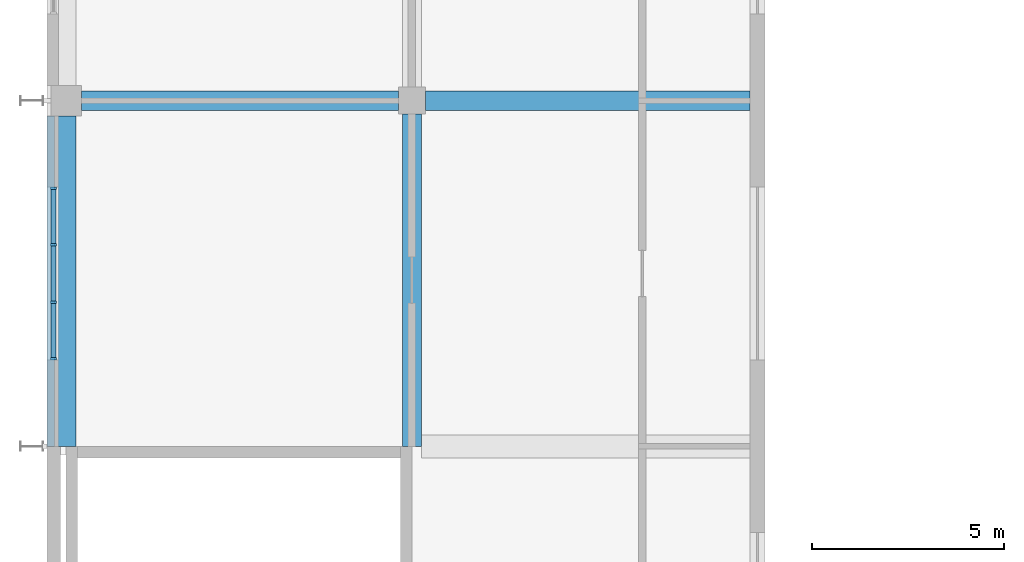
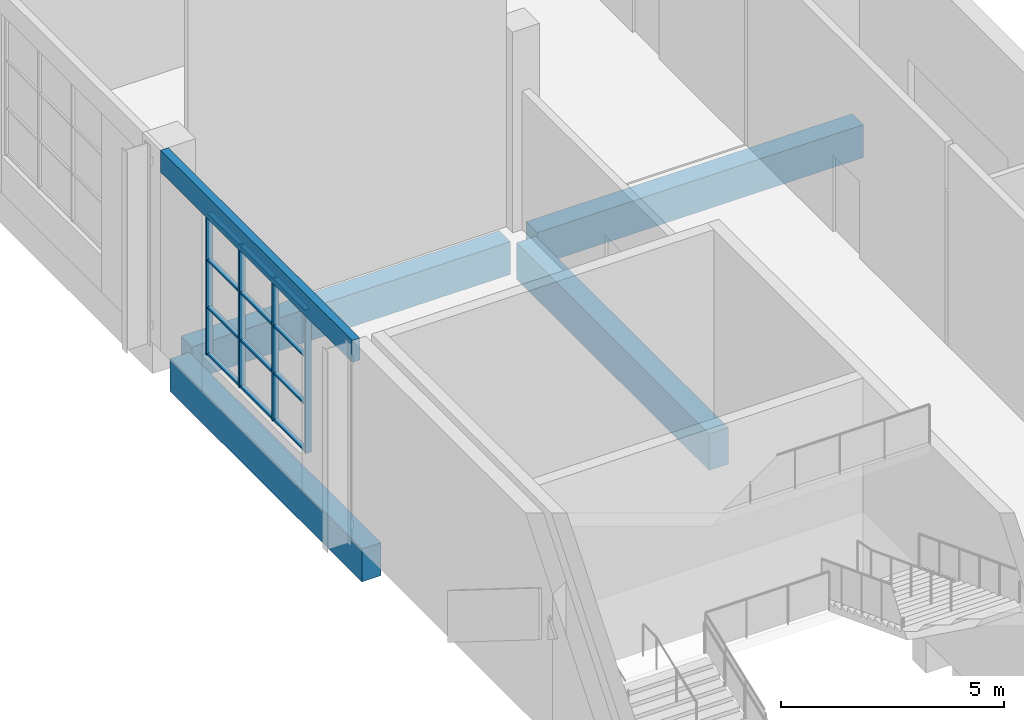
# One storey, part 6 of 84: 16 members, 5 beams, 1 element without a shape of its own.
"""IFC4 building model written with IfcOpenShell, lengths in metres."""

from ifc_helpers import new_model, si_unit, direction, frame, origin, origin_2d, place, context, subcontext, project, spatial, rectangle, extrude, material, material_profile, profile_set, type_object, element, aggregate, save


model = new_model("IFC4")

# Units and contexts
model_context = context("Model", 3, precision=1e-05, world=origin(), true_north=direction((0.0, 1.0)))
body_context = subcontext(model_context, "Body", "Model", "MODEL_VIEW")
ifc_project = project(units=[si_unit("LENGTHUNIT", "METRE"), si_unit("AREAUNIT", "SQUARE_METRE"), si_unit("VOLUMEUNIT", "CUBIC_METRE"), si_unit("PLANEANGLEUNIT", "RADIAN"), si_unit("MASSUNIT", "GRAM", prefix="KILO")], contexts=[model_context])

# Site, building, storey
site_placement = place(None, origin())
site = spatial("IfcSite", under=ifc_project, at=site_placement, CompositionType="ELEMENT")
building_placement = place(site_placement, origin())
building = spatial("IfcBuilding", under=site, at=building_placement, Name="Silverbay Arena", CompositionType="ELEMENT")
storey_placement = place(building_placement, frame((0.0, 0.0, 28.0)))
storey = spatial("IfcBuildingStorey", under=building, at=storey_placement, Name="L04", CompositionType="ELEMENT", Elevation=28.0)

# Curtain wall, members
ifc_material_1 = material(Name="Aluminium framed curtain wall", Category="aluminium")
curtain_wall_type = type_object("IfcCurtainWallType", Name="Curtain wall 4500 x 3900", PredefinedType="NOTDEFINED", material=ifc_material_1)
curtain_wall_placement = place(storey_placement, origin())
curtain_wall = element("IfcCurtainWall", 1, at=curtain_wall_placement, inside=storey, type_object=curtain_wall_type, Name="West curtain wall L04 bay 7", PredefinedType="NOTDEFINED")
ifc_material_2 = material(Name="Aluminium", Category="aluminium")
ifc_material_profile_1 = material_profile(ifc_material_2, rectangle(XDim=0.159912109375, YDim=0.06005859375, at=origin_2d()), Name="Mullion 60 x 160")
ifc_profile_set_1 = profile_set([ifc_material_profile_1], Name="Aluminium")
member_type_1 = type_object("IfcMemberType", Name="Mullion 60 x 160", PredefinedType="MULLION", material=ifc_profile_set_1)
member_1_placement = place(storey_placement, frame((53.669921875, 78.719970703125, 1.0), z_axis=(0.0, 0.0, 1.0), x_axis=(1.0, 0.0, 0.0)))
member_1 = element("IfcMember", 2, at=member_1_placement, type_object=member_type_1, Name="CW15 mullion 1", PredefinedType="MULLION", context=body_context, shape_type="SweptSolid", body=[
    extrude(rectangle(XDim=0.159912109375, YDim=0.06005859375, at=origin_2d()), origin(), (0.0, 0.0, 1.0), 3.89990234375),
])
member_2_placement = place(storey_placement, frame((53.669921875, 77.25, 1.0), z_axis=(0.0, 0.0, 1.0), x_axis=(1.0, 0.0, 0.0)))
member_2 = element("IfcMember", 3, at=member_2_placement, type_object=member_type_1, Name="CW15 mullion 2", PredefinedType="MULLION", context=body_context, shape_type="SweptSolid", body=[
    extrude(rectangle(XDim=0.159912109375, YDim=0.06005859375, at=origin_2d()), origin(), (0.0, 0.0, 1.0), 3.89990234375),
])
member_3_placement = place(storey_placement, frame((53.669921875, 75.75, 1.0), z_axis=(0.0, 0.0, 1.0), x_axis=(1.0, 0.0, 0.0)))
member_3 = element("IfcMember", 4, at=member_3_placement, type_object=member_type_1, Name="CW15 mullion 3", PredefinedType="MULLION", context=body_context, shape_type="SweptSolid", body=[
    extrude(rectangle(XDim=0.159912109375, YDim=0.06005859375, at=origin_2d()), origin(), (0.0, 0.0, 1.0), 3.89990234375),
])
member_4_placement = place(storey_placement, frame((53.669921875, 74.280029296875, 1.0), z_axis=(0.0, 0.0, 1.0), x_axis=(1.0, 0.0, 0.0)))
member_4 = element("IfcMember", 5, at=member_4_placement, type_object=member_type_1, Name="CW15 mullion 4", PredefinedType="MULLION", context=body_context, shape_type="SweptSolid", body=[
    extrude(rectangle(XDim=0.159912109375, YDim=0.06005859375, at=origin_2d()), origin(), (0.0, 0.0, 1.0), 3.89990234375),
])

# Beams
ifc_material_3 = material(Name="Concrete Grade C45", Category="concrete")
ifc_material_profile_2 = material_profile(ifc_material_3, rectangle(XDim=0.5, YDim=1.0, at=origin_2d()), Name="RC 500x1000")
ifc_profile_set_2 = profile_set([ifc_material_profile_2], Name="Concrete Grade C45")
beam_type_1 = type_object("IfcBeamType", Name="RC beam 500x1000", PredefinedType="BEAM", material=ifc_profile_set_2)
beam_1_placement = place(storey_placement, frame((63.0, 72.0, -0.800048828125), z_axis=(0.0, 1.0, 0.0), x_axis=(-1.0, 0.0, 0.0)))
element("IfcBeam", 6, at=beam_1_placement, inside=storey, type_object=beam_type_1, Name="Floor beam L04 088", PredefinedType="BEAM", context=body_context, shape_type="SweptSolid", body=[
    extrude(rectangle(XDim=0.5, YDim=1.0, at=origin_2d()), origin(), (0.0, 0.0, 1.0), 8.64990234375),
])
ifc_material_4 = material(Name="Concrete Grade C45", Category="concrete")
ifc_material_profile_3 = material_profile(ifc_material_4, rectangle(XDim=0.5, YDim=0.89990234375, at=origin_2d()), Name="RC 500x900")
ifc_profile_set_3 = profile_set([ifc_material_profile_3], Name="Concrete Grade C45")
beam_type_2 = type_object("IfcBeamType", Name="RC beam 500x900", PredefinedType="BEAM", material=ifc_profile_set_3)
beam_2_placement = place(storey_placement, frame((54.39990234375, 81.0, -0.75), z_axis=(1.0, 0.0, 0.0), x_axis=(0.0, 1.0, 0.0)))
element("IfcBeam", 7, at=beam_2_placement, inside=storey, type_object=beam_type_2, Name="Floor beam L04 037", PredefinedType="BEAM", context=body_context, shape_type="SweptSolid", body=[
    extrude(rectangle(XDim=0.5, YDim=0.89990234375, at=origin_2d()), origin(), (0.0, 0.0, 1.0), 8.25),
])
beam_3_placement = place(storey_placement, frame((63.35009765625, 81.0, -0.75), z_axis=(1.0, 0.0, 0.0), x_axis=(0.0, 1.0, 0.0)))
element("IfcBeam", 8, at=beam_3_placement, inside=storey, type_object=beam_type_2, Name="Floor beam L04 038", PredefinedType="BEAM", context=body_context, shape_type="SweptSolid", body=[
    extrude(rectangle(XDim=0.5, YDim=0.89990234375, at=origin_2d()), origin(), (0.0, 0.0, 1.0), 8.449951171875),
])
beam_4_placement = place(storey_placement, frame((54.0, 72.0, -0.75), z_axis=(0.0, 1.0, 0.0), x_axis=(-1.0, 0.0, 0.0)))
element("IfcBeam", 9, at=beam_4_placement, inside=storey, type_object=beam_type_2, Name="Floor beam L04 080", PredefinedType="BEAM", context=body_context, shape_type="SweptSolid", body=[
    extrude(rectangle(XDim=0.5, YDim=0.89990234375, at=origin_2d()), origin(), (0.0, 0.0, 1.0), 8.60009765625),
])
ifc_material_5 = material(Name="Concrete Grade C45", Category="concrete")
ifc_material_profile_4 = material_profile(ifc_material_5, rectangle(XDim=0.199951171875, YDim=0.60009765625, at=origin_2d()), Name="RC 200x600")
ifc_profile_set_4 = profile_set([ifc_material_profile_4], Name="Concrete Grade C45")
beam_type_3 = type_object("IfcBeamType", Name="RC facade beam 200x600", PredefinedType="SPANDREL", material=ifc_profile_set_4)
beam_5_placement = place(storey_placement, frame((53.60009765625, 72.0, 5.199951171875), z_axis=(0.0, 1.0, 0.0), x_axis=(-1.0, 0.0, 0.0)))
element("IfcBeam", 10, at=beam_5_placement, inside=storey, type_object=beam_type_3, Name="Facade beam L04 west", PredefinedType="SPANDREL", context=body_context, shape_type="SweptSolid", body=[
    extrude(rectangle(XDim=0.199951171875, YDim=0.60009765625, at=origin_2d()), origin(), (0.0, 0.0, 1.0), 8.60009765625),
])

# Member
ifc_material_6 = material(Name="Aluminium", Category="aluminium")
ifc_material_profile_5 = material_profile(ifc_material_6, rectangle(XDim=0.1201171875, YDim=0.050048828125, at=origin_2d()), Name="Transom 50 x 120")
ifc_profile_set_5 = profile_set([ifc_material_profile_5], Name="Aluminium")
member_type_2 = type_object("IfcMemberType", Name="Transom 50 x 120", PredefinedType="USERDEFINED", material=ifc_profile_set_5)
member_5_placement = place(storey_placement, frame((53.669921875, 78.68994140625, 1.02490234375), z_axis=(0.0, -1.0, 0.0), x_axis=(1.0, 0.0, 0.0)))
member_5 = element("IfcMember", 11, at=member_5_placement, type_object=member_type_2, Name="CW15 transom 1.1", ObjectType="TRANSOM", PredefinedType="USERDEFINED", context=body_context, shape_type="SweptSolid", body=[
    extrude(rectangle(XDim=0.1201171875, YDim=0.050048828125, at=origin_2d()), origin(), (0.0, 0.0, 1.0), 1.409912109375),
])

member_6_placement = place(storey_placement, frame((53.669921875, 78.68994140625, 2.300048828125), z_axis=(0.0, -1.0, 0.0), x_axis=(1.0, 0.0, 0.0)))
member_6 = element("IfcMember", 12, at=member_6_placement, type_object=member_type_2, Name="CW15 transom 1.2", ObjectType="TRANSOM", PredefinedType="USERDEFINED", context=body_context, shape_type="SweptSolid", body=[
    extrude(rectangle(XDim=0.1201171875, YDim=0.050048828125, at=origin_2d()), origin(), (0.0, 0.0, 1.0), 1.409912109375),
])

member_7_placement = place(storey_placement, frame((53.669921875, 78.68994140625, 3.60009765625), z_axis=(0.0, -1.0, 0.0), x_axis=(1.0, 0.0, 0.0)))
member_7 = element("IfcMember", 13, at=member_7_placement, type_object=member_type_2, Name="CW15 transom 1.3", ObjectType="TRANSOM", PredefinedType="USERDEFINED", context=body_context, shape_type="SweptSolid", body=[
    extrude(rectangle(XDim=0.1201171875, YDim=0.050048828125, at=origin_2d()), origin(), (0.0, 0.0, 1.0), 1.409912109375),
])

member_8_placement = place(storey_placement, frame((53.669921875, 78.68994140625, 4.875), z_axis=(0.0, -1.0, 0.0), x_axis=(1.0, 0.0, 0.0)))
member_8 = element("IfcMember", 14, at=member_8_placement, type_object=member_type_2, Name="CW15 transom 1.4", ObjectType="TRANSOM", PredefinedType="USERDEFINED", context=body_context, shape_type="SweptSolid", body=[
    extrude(rectangle(XDim=0.1201171875, YDim=0.050048828125, at=origin_2d()), origin(), (0.0, 0.0, 1.0), 1.409912109375),
])

member_9_placement = place(storey_placement, frame((53.669921875, 77.219970703125, 1.02490234375), z_axis=(0.0, -1.0, 0.0), x_axis=(1.0, 0.0, 0.0)))
member_9 = element("IfcMember", 15, at=member_9_placement, type_object=member_type_2, Name="CW15 transom 2.1", ObjectType="TRANSOM", PredefinedType="USERDEFINED", context=body_context, shape_type="SweptSolid", body=[
    extrude(rectangle(XDim=0.1201171875, YDim=0.050048828125, at=origin_2d()), origin(), (0.0, 0.0, 1.0), 1.43994140625),
])

member_10_placement = place(storey_placement, frame((53.669921875, 77.219970703125, 2.300048828125), z_axis=(0.0, -1.0, 0.0), x_axis=(1.0, 0.0, 0.0)))
member_10 = element("IfcMember", 16, at=member_10_placement, type_object=member_type_2, Name="CW15 transom 2.2", ObjectType="TRANSOM", PredefinedType="USERDEFINED", context=body_context, shape_type="SweptSolid", body=[
    extrude(rectangle(XDim=0.1201171875, YDim=0.050048828125, at=origin_2d()), origin(), (0.0, 0.0, 1.0), 1.43994140625),
])

member_11_placement = place(storey_placement, frame((53.669921875, 77.219970703125, 3.60009765625), z_axis=(0.0, -1.0, 0.0), x_axis=(1.0, 0.0, 0.0)))
member_11 = element("IfcMember", 17, at=member_11_placement, type_object=member_type_2, Name="CW15 transom 2.3", ObjectType="TRANSOM", PredefinedType="USERDEFINED", context=body_context, shape_type="SweptSolid", body=[
    extrude(rectangle(XDim=0.1201171875, YDim=0.050048828125, at=origin_2d()), origin(), (0.0, 0.0, 1.0), 1.43994140625),
])

member_12_placement = place(storey_placement, frame((53.669921875, 77.219970703125, 4.875), z_axis=(0.0, -1.0, 0.0), x_axis=(1.0, 0.0, 0.0)))
member_12 = element("IfcMember", 18, at=member_12_placement, type_object=member_type_2, Name="CW15 transom 2.4", ObjectType="TRANSOM", PredefinedType="USERDEFINED", context=body_context, shape_type="SweptSolid", body=[
    extrude(rectangle(XDim=0.1201171875, YDim=0.050048828125, at=origin_2d()), origin(), (0.0, 0.0, 1.0), 1.43994140625),
])

member_13_placement = place(storey_placement, frame((53.669921875, 75.719970703125, 1.02490234375), z_axis=(0.0, -1.0, 0.0), x_axis=(1.0, 0.0, 0.0)))
member_13 = element("IfcMember", 19, at=member_13_placement, type_object=member_type_2, Name="CW15 transom 3.1", ObjectType="TRANSOM", PredefinedType="USERDEFINED", context=body_context, shape_type="SweptSolid", body=[
    extrude(rectangle(XDim=0.1201171875, YDim=0.050048828125, at=origin_2d()), origin(), (0.0, 0.0, 1.0), 1.409912109375),
])

member_14_placement = place(storey_placement, frame((53.669921875, 75.719970703125, 2.300048828125), z_axis=(0.0, -1.0, 0.0), x_axis=(1.0, 0.0, 0.0)))
member_14 = element("IfcMember", 20, at=member_14_placement, type_object=member_type_2, Name="CW15 transom 3.2", ObjectType="TRANSOM", PredefinedType="USERDEFINED", context=body_context, shape_type="SweptSolid", body=[
    extrude(rectangle(XDim=0.1201171875, YDim=0.050048828125, at=origin_2d()), origin(), (0.0, 0.0, 1.0), 1.409912109375),
])

member_15_placement = place(storey_placement, frame((53.669921875, 75.719970703125, 3.60009765625), z_axis=(0.0, -1.0, 0.0), x_axis=(1.0, 0.0, 0.0)))
member_15 = element("IfcMember", 21, at=member_15_placement, type_object=member_type_2, Name="CW15 transom 3.3", ObjectType="TRANSOM", PredefinedType="USERDEFINED", context=body_context, shape_type="SweptSolid", body=[
    extrude(rectangle(XDim=0.1201171875, YDim=0.050048828125, at=origin_2d()), origin(), (0.0, 0.0, 1.0), 1.409912109375),
])

member_16_placement = place(storey_placement, frame((53.669921875, 75.719970703125, 4.875), z_axis=(0.0, -1.0, 0.0), x_axis=(1.0, 0.0, 0.0)))
member_16 = element("IfcMember", 22, at=member_16_placement, type_object=member_type_2, Name="CW15 transom 3.4", ObjectType="TRANSOM", PredefinedType="USERDEFINED", context=body_context, shape_type="SweptSolid", body=[
    extrude(rectangle(XDim=0.1201171875, YDim=0.050048828125, at=origin_2d()), origin(), (0.0, 0.0, 1.0), 1.409912109375),
])

aggregate(curtain_wall, [member_1, member_2, member_3, member_4, member_5, member_6, member_7, member_8, member_9, member_10, member_11, member_12, member_13, member_14, member_15, member_16])

save(model, "model.ifc")
